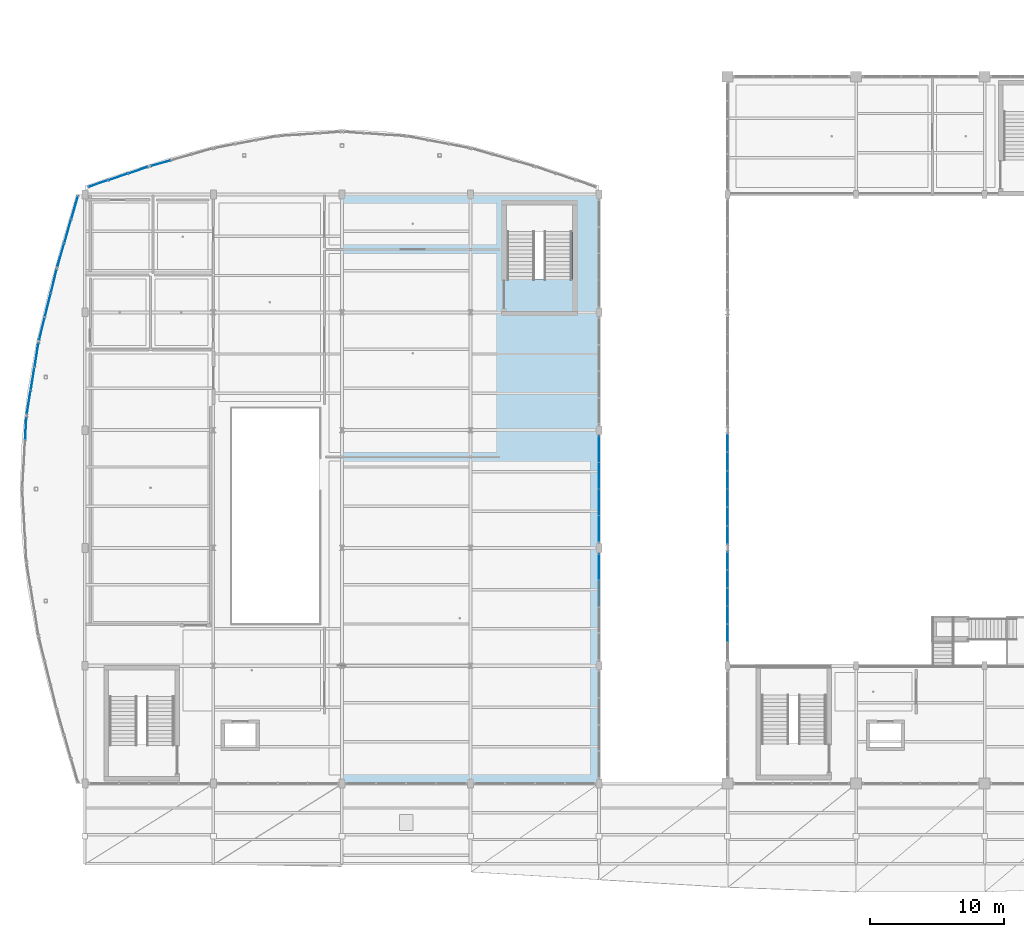
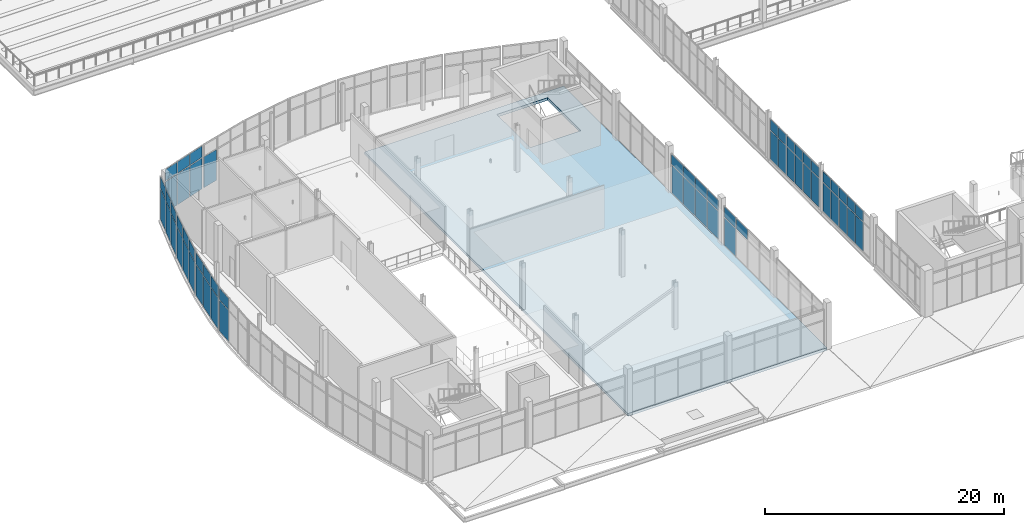
# One storey, part 116 of 157: 60 plates, 1 slab, 10 elements without a shape of their own.
"""IFC4 building model written with IfcOpenShell, lengths in metres."""

from ifc_helpers import new_model, si_unit, direction, frame, origin, origin_2d, place, context, subcontext, project, spatial, polyline, rectangle, outline, extrude, material, layer, layer_set, type_object, element, aggregate, save


model = new_model("IFC4")

# Units and contexts
model_context = context("Model", 3, precision=1e-05, world=origin(), true_north=direction((0.0, 1.0)))
body_context = subcontext(model_context, "Body", "Model", "MODEL_VIEW")
ifc_project = project(units=[si_unit("LENGTHUNIT", "METRE"), si_unit("AREAUNIT", "SQUARE_METRE"), si_unit("VOLUMEUNIT", "CUBIC_METRE"), si_unit("PLANEANGLEUNIT", "RADIAN"), si_unit("MASSUNIT", "GRAM", prefix="KILO")], contexts=[model_context])

# Site, building, storey
site_placement = place(None, origin())
site = spatial("IfcSite", under=ifc_project, at=site_placement, CompositionType="ELEMENT")
building_placement = place(site_placement, origin())
building = spatial("IfcBuilding", under=site, at=building_placement, Name="Chalmorin Arch Market", CompositionType="ELEMENT")
storey_placement = place(building_placement, frame((0.0, 0.0, 4.800048828125)))
storey = spatial("IfcBuildingStorey", under=building, at=storey_placement, Name="L01", CompositionType="ELEMENT", Elevation=4.800048828125)

# Curtain wall, plates
ifc_material_1 = material(Name="Aluminium 6063-T6", Category="aluminium")
ifc_layer_1 = layer(ifc_material_1, 0.159912109375)
ifc_layer_set_1 = layer_set([ifc_layer_1], Name="Aluminium 6063-T6")
curtain_wall_type_1 = type_object("IfcCurtainWallType", Name="GableTympanumCurtainWall-CW4-8100x4200", PredefinedType="NOTDEFINED", material=ifc_layer_set_1)
curtain_wall_1_placement = place(storey_placement, origin())
curtain_wall_1 = element("IfcCurtainWall", 1, at=curtain_wall_1_placement, inside=storey, type_object=curtain_wall_type_1, Name="CW-04-028", PredefinedType="NOTDEFINED")
ifc_material_2 = material(Name="Powder-coated Aluminium Panel", Category="aluminium")
ifc_layer_2 = layer(ifc_material_2, 0.0400390625)
ifc_layer_set_2 = layer_set([ifc_layer_2], Name="Powder-coated Aluminium Panel")
plate_type_1 = type_object("IfcPlateType", Name="ShadowboxSpandrelPanel-40", PredefinedType="CURTAIN_PANEL", material=ifc_layer_set_2)
plate_1_placement = place(storey_placement, frame((48.0, 17.235595703125, 3.06884765625), z_axis=(0.0, 0.0, 1.0), x_axis=(0.0, 1.0, 0.0)))
plate_1 = element("IfcPlate", 2, at=plate_1_placement, type_object=plate_type_1, Name="SP-40-028-02B", PredefinedType="CURTAIN_PANEL", context=body_context, shape_type="SweptSolid", body=[
    extrude(rectangle(XDim=1.270263671875, YDim=0.0400390625, at=origin_2d()), origin(), (0.0, 0.0, 1.0), 1.06103515625),
])
plate_2_placement = place(storey_placement, frame((48.0, 18.585693359375, 3.06884765625), z_axis=(0.0, 0.0, 1.0), x_axis=(0.0, 1.0, 0.0)))
plate_2 = element("IfcPlate", 3, at=plate_2_placement, type_object=plate_type_1, Name="SP-40-028-03B", PredefinedType="CURTAIN_PANEL", context=body_context, shape_type="SweptSolid", body=[
    extrude(rectangle(XDim=1.270263671875, YDim=0.0400390625, at=origin_2d()), origin(), (0.0, 0.0, 1.0), 1.06103515625),
])
plate_3_placement = place(storey_placement, frame((48.0, 19.936279296875, 3.06884765625), z_axis=(0.0, 0.0, 1.0), x_axis=(0.0, 1.0, 0.0)))
plate_3 = element("IfcPlate", 4, at=plate_3_placement, type_object=plate_type_1, Name="SP-40-028-04B", PredefinedType="CURTAIN_PANEL", context=body_context, shape_type="SweptSolid", body=[
    extrude(rectangle(XDim=1.270263671875, YDim=0.0400390625, at=origin_2d()), origin(), (0.0, 0.0, 1.0), 1.06103515625),
])
plate_4_placement = place(storey_placement, frame((48.0, 21.28662109375, 3.06884765625), z_axis=(0.0, 0.0, 1.0), x_axis=(0.0, 1.0, 0.0)))
plate_4 = element("IfcPlate", 5, at=plate_4_placement, type_object=plate_type_1, Name="SP-40-028-05B", PredefinedType="CURTAIN_PANEL", context=body_context, shape_type="SweptSolid", body=[
    extrude(rectangle(XDim=1.270263671875, YDim=0.0400390625, at=origin_2d()), origin(), (0.0, 0.0, 1.0), 1.06103515625),
])
plate_5_placement = place(storey_placement, frame((48.0, 22.63671875, 3.06884765625), z_axis=(0.0, 0.0, 1.0), x_axis=(0.0, 1.0, 0.0)))
plate_5 = element("IfcPlate", 6, at=plate_5_placement, type_object=plate_type_1, Name="SP-40-028-06B", PredefinedType="CURTAIN_PANEL", context=body_context, shape_type="SweptSolid", body=[
    extrude(rectangle(XDim=1.270263671875, YDim=0.0400390625, at=origin_2d()), origin(), (0.0, 0.0, 1.0), 1.06103515625),
])

ifc_layer_3 = layer(ifc_material_1, 0.159912109375)
ifc_layer_set_3 = layer_set([ifc_layer_3], Name="Aluminium 6063-T6")
curtain_wall_type_2 = type_object("IfcCurtainWallType", Name="GableTympanumCurtainWall-CW4-8220x4200", PredefinedType="NOTDEFINED", material=ifc_layer_set_3)
curtain_wall_2_placement = place(storey_placement, origin())
curtain_wall_2 = element("IfcCurtainWall", 7, at=curtain_wall_2_placement, inside=storey, type_object=curtain_wall_type_2, Name="CW-04-030", PredefinedType="NOTDEFINED")
plate_6_placement = place(storey_placement, frame((48.0, 24.5732421875, 3.06884765625), z_axis=(0.0, 0.0, 1.0), x_axis=(0.0, 1.0, 0.0)))
plate_6 = element("IfcPlate", 8, at=plate_6_placement, type_object=plate_type_1, Name="SP-40-030-01B", PredefinedType="CURTAIN_PANEL", context=body_context, shape_type="SweptSolid", body=[
    extrude(rectangle(XDim=1.290771484375, YDim=0.0400390625, at=origin_2d()), origin(), (0.0, 0.0, 1.0), 1.06103515625),
])
plate_7_placement = place(storey_placement, frame((48.0, 25.944091796875, 3.06884765625), z_axis=(0.0, 0.0, 1.0), x_axis=(0.0, 1.0, 0.0)))
plate_7 = element("IfcPlate", 9, at=plate_7_placement, type_object=plate_type_1, Name="SP-40-030-02B", PredefinedType="CURTAIN_PANEL", context=body_context, shape_type="SweptSolid", body=[
    extrude(rectangle(XDim=1.290771484375, YDim=0.0400390625, at=origin_2d()), origin(), (0.0, 0.0, 1.0), 1.06103515625),
])
plate_8_placement = place(storey_placement, frame((48.0, 27.314697265625, 3.06884765625), z_axis=(0.0, 0.0, 1.0), x_axis=(0.0, 1.0, 0.0)))
plate_8 = element("IfcPlate", 10, at=plate_8_placement, type_object=plate_type_1, Name="SP-40-030-03B", PredefinedType="CURTAIN_PANEL", context=body_context, shape_type="SweptSolid", body=[
    extrude(rectangle(XDim=1.290771484375, YDim=0.0400390625, at=origin_2d()), origin(), (0.0, 0.0, 1.0), 1.06103515625),
])
plate_9_placement = place(storey_placement, frame((48.0, 28.685302734375, 3.06884765625), z_axis=(0.0, 0.0, 1.0), x_axis=(0.0, 1.0, 0.0)))
plate_9 = element("IfcPlate", 11, at=plate_9_placement, type_object=plate_type_1, Name="SP-40-030-04B", PredefinedType="CURTAIN_PANEL", context=body_context, shape_type="SweptSolid", body=[
    extrude(rectangle(XDim=1.290771484375, YDim=0.0400390625, at=origin_2d()), origin(), (0.0, 0.0, 1.0), 1.06103515625),
])
plate_10_placement = place(storey_placement, frame((48.0, 30.055908203125, 3.06884765625), z_axis=(0.0, 0.0, 1.0), x_axis=(0.0, 1.0, 0.0)))
plate_10 = element("IfcPlate", 12, at=plate_10_placement, type_object=plate_type_1, Name="SP-40-030-05B", PredefinedType="CURTAIN_PANEL", context=body_context, shape_type="SweptSolid", body=[
    extrude(rectangle(XDim=1.290771484375, YDim=0.0400390625, at=origin_2d()), origin(), (0.0, 0.0, 1.0), 1.06103515625),
])
plate_11_placement = place(storey_placement, frame((48.0, 31.4267578125, 3.06884765625), z_axis=(0.0, 0.0, 1.0), x_axis=(0.0, 1.0, 0.0)))
plate_11 = element("IfcPlate", 13, at=plate_11_placement, type_object=plate_type_1, Name="SP-40-030-06B", PredefinedType="CURTAIN_PANEL", context=body_context, shape_type="SweptSolid", body=[
    extrude(rectangle(XDim=1.290771484375, YDim=0.0400390625, at=origin_2d()), origin(), (0.0, 0.0, 1.0), 1.06103515625),
])

# Curtain wall, plate
ifc_layer_4 = layer(ifc_material_1, 0.159912109375)
ifc_layer_set_4 = layer_set([ifc_layer_4], Name="Aluminium 6063-T6")
curtain_wall_type_3 = type_object("IfcCurtainWallType", Name="RiverfrontStorefrontCurtainWall-CW2-5330x4520", PredefinedType="NOTDEFINED", material=ifc_layer_set_4)
curtain_wall_3_placement = place(storey_placement, origin())
curtain_wall_3 = element("IfcCurtainWall", 14, at=curtain_wall_3_placement, inside=storey, type_object=curtain_wall_type_3, Name="CW-02-058", PredefinedType="NOTDEFINED")
plate_12_placement = place(storey_placement, frame((-4.416748046875, 32.5234375, 3.29931640625), z_axis=(0.0, 0.0, 1.0), x_axis=(0.052335956243, 0.998629534755, 0.0)))
plate_12 = element("IfcPlate", 15, at=plate_12_placement, type_object=plate_type_1, Name="SP-40-058-03B", PredefinedType="CURTAIN_PANEL", context=body_context, shape_type="SweptSolid", body=[
    extrude(rectangle(XDim=1.696533203125, YDim=0.0400390625, at=origin_2d()), origin(), (0.0, 0.0, 1.0), 1.150634765625),
])

# Curtain wall, plates
ifc_layer_5 = layer(ifc_material_1, 0.159912109375)
ifc_layer_set_5 = layer_set([ifc_layer_5], Name="Aluminium 6063-T6")
curtain_wall_type_4 = type_object("IfcCurtainWallType", Name="RiverfrontStorefrontCurtainWall-CW2-5390x4520", PredefinedType="NOTDEFINED", material=ifc_layer_set_5)
curtain_wall_4_placement = place(storey_placement, origin())
curtain_wall_4 = element("IfcCurtainWall", 16, at=curtain_wall_4_placement, inside=storey, type_object=curtain_wall_type_4, Name="CW-02-061", PredefinedType="NOTDEFINED")
plate_13_placement = place(storey_placement, frame((-4.198486328125, 34.475830078125, 3.29931640625), z_axis=(0.0, 0.0, 1.0), x_axis=(0.15643446504, 0.987688340595, 0.0)))
plate_13 = element("IfcPlate", 17, at=plate_13_placement, type_object=plate_type_1, Name="SP-40-061-01B", PredefinedType="CURTAIN_PANEL", context=body_context, shape_type="SweptSolid", body=[
    extrude(rectangle(XDim=1.71826171875, YDim=0.0400390625, at=origin_2d()), origin(), (0.0, 0.0, 1.0), 1.150634765625),
])
plate_14_placement = place(storey_placement, frame((-3.905029296875, 36.25, 3.29931640625), z_axis=(0.0, 0.0, 1.0), x_axis=(0.15643446504, 0.987688340595, 0.0)))
plate_14 = element("IfcPlate", 18, at=plate_14_placement, type_object=plate_type_1, Name="SP-40-061-02B", PredefinedType="CURTAIN_PANEL", context=body_context, shape_type="SweptSolid", body=[
    extrude(rectangle(XDim=1.71826171875, YDim=0.0400390625, at=origin_2d()), origin(), (0.0, 0.0, 1.0), 1.150634765625),
])
plate_15_placement = place(storey_placement, frame((-3.611572265625, 38.024169921875, 3.29931640625), z_axis=(0.0, 0.0, 1.0), x_axis=(0.15643446504, 0.987688340595, 0.0)))
plate_15 = element("IfcPlate", 19, at=plate_15_placement, type_object=plate_type_1, Name="SP-40-061-03B", PredefinedType="CURTAIN_PANEL", context=body_context, shape_type="SweptSolid", body=[
    extrude(rectangle(XDim=1.71826171875, YDim=0.0400390625, at=origin_2d()), origin(), (0.0, 0.0, 1.0), 1.150634765625),
])

ifc_layer_6 = layer(ifc_material_1, 0.159912109375)
ifc_layer_set_6 = layer_set([ifc_layer_6], Name="Aluminium 6063-T6")
curtain_wall_type_5 = type_object("IfcCurtainWallType", Name="RiverfrontStorefrontCurtainWall-CW2-5490x4520", PredefinedType="NOTDEFINED", material=ifc_layer_set_6)
curtain_wall_5_placement = place(storey_placement, origin())
curtain_wall_5 = element("IfcCurtainWall", 20, at=curtain_wall_5_placement, inside=storey, type_object=curtain_wall_type_5, Name="CW-02-064", PredefinedType="NOTDEFINED")
plate_16_placement = place(storey_placement, frame((-3.20849609375, 39.974853515625, 3.29931640625), z_axis=(0.0, 0.0, 1.0), x_axis=(0.2419218956, 0.970295726276, 0.0)))
plate_16 = element("IfcPlate", 21, at=plate_16_placement, type_object=plate_type_1, Name="SP-40-064-01B", PredefinedType="CURTAIN_PANEL", context=body_context, shape_type="SweptSolid", body=[
    extrude(rectangle(XDim=1.748779296875, YDim=0.0400390625, at=origin_2d()), origin(), (0.0, 0.0, 1.0), 1.150634765625),
])
plate_17_placement = place(storey_placement, frame((-2.7685546875, 41.75, 3.29931640625), z_axis=(0.0, 0.0, 1.0), x_axis=(0.2419218956, 0.970295726276, 0.0)))
plate_17 = element("IfcPlate", 22, at=plate_17_placement, type_object=plate_type_1, Name="SP-40-064-02B", PredefinedType="CURTAIN_PANEL", context=body_context, shape_type="SweptSolid", body=[
    extrude(rectangle(XDim=1.748779296875, YDim=0.0400390625, at=origin_2d()), origin(), (0.0, 0.0, 1.0), 1.150634765625),
])
plate_18_placement = place(storey_placement, frame((-2.32861328125, 43.525146484375, 3.29931640625), z_axis=(0.0, 0.0, 1.0), x_axis=(0.2419218956, 0.970295726276, 0.0)))
plate_18 = element("IfcPlate", 23, at=plate_18_placement, type_object=plate_type_1, Name="SP-40-064-03B", PredefinedType="CURTAIN_PANEL", context=body_context, shape_type="SweptSolid", body=[
    extrude(rectangle(XDim=1.748779296875, YDim=0.0400390625, at=origin_2d()), origin(), (0.0, 0.0, 1.0), 1.150634765625),
])

ifc_layer_7 = layer(ifc_material_1, 0.159912109375)
ifc_layer_set_7 = layer_set([ifc_layer_7], Name="Aluminium 6063-T6")
curtain_wall_type_6 = type_object("IfcCurtainWallType", Name="RiverfrontStorefrontCurtainWall-CW2-5550x4520", PredefinedType="NOTDEFINED", material=ifc_layer_set_7)
curtain_wall_6_placement = place(storey_placement, origin())
curtain_wall_6 = element("IfcCurtainWall", 24, at=curtain_wall_6_placement, inside=storey, type_object=curtain_wall_type_6, Name="CW-02-067", PredefinedType="NOTDEFINED")
plate_19_placement = place(storey_placement, frame((-1.802490234375, 45.474365234375, 3.29931640625), z_axis=(0.0, 0.0, 1.0), x_axis=(0.275637355817, 0.961261695938, 0.0)))
plate_19 = element("IfcPlate", 25, at=plate_19_placement, type_object=plate_type_1, Name="SP-40-067-01B", PredefinedType="CURTAIN_PANEL", context=body_context, shape_type="SweptSolid", body=[
    extrude(rectangle(XDim=1.77001953125, YDim=0.0400390625, at=origin_2d()), origin(), (0.0, 0.0, 1.0), 1.150634765625),
])
plate_20_placement = place(storey_placement, frame((-1.283447265625, 47.25, 3.29931640625), z_axis=(0.0, 0.0, 1.0), x_axis=(0.275637355817, 0.961261695938, 0.0)))
plate_20 = element("IfcPlate", 26, at=plate_20_placement, type_object=plate_type_1, Name="SP-40-067-02B", PredefinedType="CURTAIN_PANEL", context=body_context, shape_type="SweptSolid", body=[
    extrude(rectangle(XDim=1.77001953125, YDim=0.0400390625, at=origin_2d()), origin(), (0.0, 0.0, 1.0), 1.150634765625),
])
plate_21_placement = place(storey_placement, frame((-0.7646484375, 49.025634765625, 3.29931640625), z_axis=(0.0, 0.0, 1.0), x_axis=(0.275637355817, 0.961261695938, 0.0)))
plate_21 = element("IfcPlate", 27, at=plate_21_placement, type_object=plate_type_1, Name="SP-40-067-03B", PredefinedType="CURTAIN_PANEL", context=body_context, shape_type="SweptSolid", body=[
    extrude(rectangle(XDim=1.77001953125, YDim=0.0400390625, at=origin_2d()), origin(), (0.0, 0.0, 1.0), 1.150634765625),
])

ifc_layer_8 = layer(ifc_material_1, 0.159912109375)
ifc_layer_set_8 = layer_set([ifc_layer_8], Name="Aluminium 6063-T6")
curtain_wall_type_7 = type_object("IfcCurtainWallType", Name="RiverfrontStorefrontCurtainWall-CW2-4700x4520", PredefinedType="NOTDEFINED", material=ifc_layer_set_8)
curtain_wall_7_placement = place(storey_placement, origin())
curtain_wall_7 = element("IfcCurtainWall", 28, at=curtain_wall_7_placement, inside=storey, type_object=curtain_wall_type_7, Name="CW-02-070", PredefinedType="NOTDEFINED")
plate_22_placement = place(storey_placement, frame((1.00244140625, 50.815673828125, 3.29931640625), z_axis=(0.0, 0.0, 1.0), x_axis=(0.945518575599, 0.325568154457, 0.0)))
plate_22 = element("IfcPlate", 29, at=plate_22_placement, type_object=plate_type_1, Name="SP-40-070-01B", PredefinedType="CURTAIN_PANEL", context=body_context, shape_type="SweptSolid", body=[
    extrude(rectangle(XDim=1.48583984375, YDim=0.0400390625, at=origin_2d()), origin(), (0.0, 0.0, 1.0), 1.150634765625),
])
plate_23_placement = place(storey_placement, frame((2.4873046875, 51.312744140625, 3.29931640625), z_axis=(0.0, 0.0, 1.0), x_axis=(0.945518575599, 0.325568154457, 0.0)))
plate_23 = element("IfcPlate", 30, at=plate_23_placement, type_object=plate_type_1, Name="SP-40-070-02B", PredefinedType="CURTAIN_PANEL", context=body_context, shape_type="SweptSolid", body=[
    extrude(rectangle(XDim=1.48583984375, YDim=0.0400390625, at=origin_2d()), origin(), (0.0, 0.0, 1.0), 1.150634765625),
])
plate_24_placement = place(storey_placement, frame((3.97216796875, 51.809814453125, 3.29931640625), z_axis=(0.0, 0.0, 1.0), x_axis=(0.945518575599, 0.325568154457, 0.0)))
plate_24 = element("IfcPlate", 31, at=plate_24_placement, type_object=plate_type_1, Name="SP-40-070-03B", PredefinedType="CURTAIN_PANEL", context=body_context, shape_type="SweptSolid", body=[
    extrude(rectangle(XDim=1.48583984375, YDim=0.0400390625, at=origin_2d()), origin(), (0.0, 0.0, 1.0), 1.150634765625),
])

ifc_layer_9 = layer(ifc_material_1, 0.159912109375)
ifc_layer_set_9 = layer_set([ifc_layer_9], Name="Aluminium 6063-T6")
curtain_wall_type_8 = type_object("IfcCurtainWallType", Name="RiverfrontStorefrontCurtainWall-CW2-7930x4070", PredefinedType="NOTDEFINED", material=ifc_layer_set_9)
curtain_wall_8_placement = place(storey_placement, origin())
curtain_wall_8 = element("IfcCurtainWall", 32, at=curtain_wall_8_placement, inside=storey, type_object=curtain_wall_type_8, Name="CW-02-099", PredefinedType="NOTDEFINED")
plate_25_placement = place(storey_placement, frame((38.39990234375, 20.19140625, 2.972412109375), z_axis=(0.0, 0.0, 1.0), x_axis=(0.0, 1.0, 0.0)))
plate_25 = element("IfcPlate", 33, at=plate_25_placement, type_object=plate_type_1, Name="SP-40-099-03B", PredefinedType="CURTAIN_PANEL", context=body_context, shape_type="SweptSolid", body=[
    extrude(rectangle(XDim=1.902587890625, YDim=0.0400390625, at=origin_2d()), origin(), (0.0, 0.0, 1.0), 1.0234375),
])
plate_26_placement = place(storey_placement, frame((38.39990234375, 22.173583984375, 2.972412109375), z_axis=(0.0, 0.0, 1.0), x_axis=(0.0, 1.0, 0.0)))
plate_26 = element("IfcPlate", 34, at=plate_26_placement, type_object=plate_type_1, Name="SP-40-099-04B", PredefinedType="CURTAIN_PANEL", context=body_context, shape_type="SweptSolid", body=[
    extrude(rectangle(XDim=1.902587890625, YDim=0.0400390625, at=origin_2d()), origin(), (0.0, 0.0, 1.0), 1.0234375),
])

ifc_layer_10 = layer(ifc_material_1, 0.159912109375)
ifc_layer_set_10 = layer_set([ifc_layer_10], Name="Aluminium 6063-T6")
curtain_wall_type_9 = type_object("IfcCurtainWallType", Name="RiverfrontStorefrontCurtainWall-CW2-7930x4080", PredefinedType="NOTDEFINED", material=ifc_layer_set_10)
curtain_wall_9_placement = place(storey_placement, origin())
curtain_wall_9 = element("IfcCurtainWall", 35, at=curtain_wall_9_placement, inside=storey, type_object=curtain_wall_type_9, Name="CW-02-101", PredefinedType="NOTDEFINED")
plate_27_placement = place(storey_placement, frame((38.39990234375, 25.0263671875, 2.9794921875), z_axis=(0.0, 0.0, 1.0), x_axis=(0.0, 1.0, 0.0)))
plate_27 = element("IfcPlate", 36, at=plate_27_placement, type_object=plate_type_1, Name="SP-40-101-01B", PredefinedType="CURTAIN_PANEL", context=body_context, shape_type="SweptSolid", body=[
    extrude(rectangle(XDim=1.902587890625, YDim=0.0400390625, at=origin_2d()), origin(), (0.0, 0.0, 1.0), 1.0263671875),
])
plate_28_placement = place(storey_placement, frame((38.39990234375, 27.0087890625, 2.9794921875), z_axis=(0.0, 0.0, 1.0), x_axis=(0.0, 1.0, 0.0)))
plate_28 = element("IfcPlate", 37, at=plate_28_placement, type_object=plate_type_1, Name="SP-40-101-02B", PredefinedType="CURTAIN_PANEL", context=body_context, shape_type="SweptSolid", body=[
    extrude(rectangle(XDim=1.902587890625, YDim=0.0400390625, at=origin_2d()), origin(), (0.0, 0.0, 1.0), 1.0263671875),
])
plate_29_placement = place(storey_placement, frame((38.39990234375, 28.9912109375, 2.9794921875), z_axis=(0.0, 0.0, 1.0), x_axis=(0.0, 1.0, 0.0)))
plate_29 = element("IfcPlate", 38, at=plate_29_placement, type_object=plate_type_1, Name="SP-40-101-03B", PredefinedType="CURTAIN_PANEL", context=body_context, shape_type="SweptSolid", body=[
    extrude(rectangle(XDim=1.902587890625, YDim=0.0400390625, at=origin_2d()), origin(), (0.0, 0.0, 1.0), 1.0263671875),
])
plate_30_placement = place(storey_placement, frame((38.39990234375, 30.9736328125, 2.9794921875), z_axis=(0.0, 0.0, 1.0), x_axis=(0.0, 1.0, 0.0)))
plate_30 = element("IfcPlate", 39, at=plate_30_placement, type_object=plate_type_1, Name="SP-40-101-04B", PredefinedType="CURTAIN_PANEL", context=body_context, shape_type="SweptSolid", body=[
    extrude(rectangle(XDim=1.902587890625, YDim=0.0400390625, at=origin_2d()), origin(), (0.0, 0.0, 1.0), 1.0263671875),
])

# Slab
ifc_material_3 = material(Name="Concrete C40/50", Category="concrete")
ifc_layer_11 = layer(ifc_material_3, 0.280029296875)
ifc_layer_set_11 = layer_set([ifc_layer_11], Name="Concrete C40/50")
slab_type = type_object("IfcSlabType", Name="SuspendedFloorSlab-280", PredefinedType="FLOOR", material=ifc_layer_set_11)
slab_placement = place(storey_placement, frame((0.0, 0.0, -0.280029296875)))
element("IfcSlab", 40, at=slab_placement, inside=storey, type_object=slab_type, Name="FS-280-097", PredefinedType="FLOOR", context=body_context, shape_type="SweptSolid", body=[
    extrude(outline(polyline([(19.2099609375, 6.010009765625), (38.389892578125, 6.010009765625), (38.389892578125, 50.0), (19.2099609375, 50.0), (19.2099609375, 6.010009765625)]), holes=[polyline([(31.5, 43.64990234375), (36.39990234375, 43.64990234375), (36.39990234375, 49.199951171875), (31.5, 49.199951171875), (31.5, 43.64990234375)])]), origin(), (0.0, 0.0, 1.0), 0.280029296875),
])

# Plate
ifc_material_4 = material(Name="Low-E Tempered Glass", Category="glass")
ifc_layer_12 = layer(ifc_material_4, 0.028076171875)
ifc_layer_set_12 = layer_set([ifc_layer_12], Name="Low-E Tempered Glass")
plate_type_2 = type_object("IfcPlateType", Name="VisionIGUPanel-28", PredefinedType="CURTAIN_PANEL", material=ifc_layer_set_12)
plate_31_placement = place(storey_placement, frame((48.0, 17.235595703125, 0.06982421875), z_axis=(0.0, 0.0, 1.0), x_axis=(0.0, 1.0, 0.0)))
plate_31 = element("IfcPlate", 41, at=plate_31_placement, type_object=plate_type_2, Name="GL-28-028-02A", PredefinedType="CURTAIN_PANEL", context=body_context, shape_type="SweptSolid", body=[
    extrude(rectangle(XDim=1.270263671875, YDim=0.028076171875, at=origin_2d()), origin(), (0.0, 0.0, 1.0), 2.908935546875),
])

plate_32_placement = place(storey_placement, frame((48.0, 18.585693359375, 0.06982421875), z_axis=(0.0, 0.0, 1.0), x_axis=(0.0, 1.0, 0.0)))
plate_32 = element("IfcPlate", 42, at=plate_32_placement, type_object=plate_type_2, Name="GL-28-028-03A", PredefinedType="CURTAIN_PANEL", context=body_context, shape_type="SweptSolid", body=[
    extrude(rectangle(XDim=1.270263671875, YDim=0.028076171875, at=origin_2d()), origin(), (0.0, 0.0, 1.0), 2.908935546875),
])

plate_33_placement = place(storey_placement, frame((48.0, 19.936279296875, 0.06982421875), z_axis=(0.0, 0.0, 1.0), x_axis=(0.0, 1.0, 0.0)))
plate_33 = element("IfcPlate", 43, at=plate_33_placement, type_object=plate_type_2, Name="GL-28-028-04A", PredefinedType="CURTAIN_PANEL", context=body_context, shape_type="SweptSolid", body=[
    extrude(rectangle(XDim=1.270263671875, YDim=0.028076171875, at=origin_2d()), origin(), (0.0, 0.0, 1.0), 2.908935546875),
])

plate_34_placement = place(storey_placement, frame((48.0, 21.28662109375, 0.06982421875), z_axis=(0.0, 0.0, 1.0), x_axis=(0.0, 1.0, 0.0)))
plate_34 = element("IfcPlate", 44, at=plate_34_placement, type_object=plate_type_2, Name="GL-28-028-05A", PredefinedType="CURTAIN_PANEL", context=body_context, shape_type="SweptSolid", body=[
    extrude(rectangle(XDim=1.270263671875, YDim=0.028076171875, at=origin_2d()), origin(), (0.0, 0.0, 1.0), 2.908935546875),
])

plate_35_placement = place(storey_placement, frame((48.0, 22.63671875, 0.06982421875), z_axis=(0.0, 0.0, 1.0), x_axis=(0.0, 1.0, 0.0)))
plate_35 = element("IfcPlate", 45, at=plate_35_placement, type_object=plate_type_2, Name="GL-28-028-06A", PredefinedType="CURTAIN_PANEL", context=body_context, shape_type="SweptSolid", body=[
    extrude(rectangle(XDim=1.270263671875, YDim=0.028076171875, at=origin_2d()), origin(), (0.0, 0.0, 1.0), 2.908935546875),
])

aggregate(curtain_wall_1, [plate_31, plate_1, plate_32, plate_2, plate_33, plate_3, plate_34, plate_4, plate_35, plate_5])

plate_36_placement = place(storey_placement, frame((48.0, 24.5732421875, 0.06982421875), z_axis=(0.0, 0.0, 1.0), x_axis=(0.0, 1.0, 0.0)))
plate_36 = element("IfcPlate", 46, at=plate_36_placement, type_object=plate_type_2, Name="GL-28-030-01A", PredefinedType="CURTAIN_PANEL", context=body_context, shape_type="SweptSolid", body=[
    extrude(rectangle(XDim=1.290771484375, YDim=0.028076171875, at=origin_2d()), origin(), (0.0, 0.0, 1.0), 2.908935546875),
])

plate_37_placement = place(storey_placement, frame((48.0, 25.944091796875, 0.06982421875), z_axis=(0.0, 0.0, 1.0), x_axis=(0.0, 1.0, 0.0)))
plate_37 = element("IfcPlate", 47, at=plate_37_placement, type_object=plate_type_2, Name="GL-28-030-02A", PredefinedType="CURTAIN_PANEL", context=body_context, shape_type="SweptSolid", body=[
    extrude(rectangle(XDim=1.290771484375, YDim=0.028076171875, at=origin_2d()), origin(), (0.0, 0.0, 1.0), 2.908935546875),
])

plate_38_placement = place(storey_placement, frame((48.0, 27.314697265625, 0.06982421875), z_axis=(0.0, 0.0, 1.0), x_axis=(0.0, 1.0, 0.0)))
plate_38 = element("IfcPlate", 48, at=plate_38_placement, type_object=plate_type_2, Name="GL-28-030-03A", PredefinedType="CURTAIN_PANEL", context=body_context, shape_type="SweptSolid", body=[
    extrude(rectangle(XDim=1.290771484375, YDim=0.028076171875, at=origin_2d()), origin(), (0.0, 0.0, 1.0), 2.908935546875),
])

plate_39_placement = place(storey_placement, frame((48.0, 28.685302734375, 0.06982421875), z_axis=(0.0, 0.0, 1.0), x_axis=(0.0, 1.0, 0.0)))
plate_39 = element("IfcPlate", 49, at=plate_39_placement, type_object=plate_type_2, Name="GL-28-030-04A", PredefinedType="CURTAIN_PANEL", context=body_context, shape_type="SweptSolid", body=[
    extrude(rectangle(XDim=1.290771484375, YDim=0.028076171875, at=origin_2d()), origin(), (0.0, 0.0, 1.0), 2.908935546875),
])

plate_40_placement = place(storey_placement, frame((48.0, 30.055908203125, 0.06982421875), z_axis=(0.0, 0.0, 1.0), x_axis=(0.0, 1.0, 0.0)))
plate_40 = element("IfcPlate", 50, at=plate_40_placement, type_object=plate_type_2, Name="GL-28-030-05A", PredefinedType="CURTAIN_PANEL", context=body_context, shape_type="SweptSolid", body=[
    extrude(rectangle(XDim=1.290771484375, YDim=0.028076171875, at=origin_2d()), origin(), (0.0, 0.0, 1.0), 2.908935546875),
])

plate_41_placement = place(storey_placement, frame((48.0, 31.4267578125, 0.06982421875), z_axis=(0.0, 0.0, 1.0), x_axis=(0.0, 1.0, 0.0)))
plate_41 = element("IfcPlate", 51, at=plate_41_placement, type_object=plate_type_2, Name="GL-28-030-06A", PredefinedType="CURTAIN_PANEL", context=body_context, shape_type="SweptSolid", body=[
    extrude(rectangle(XDim=1.290771484375, YDim=0.028076171875, at=origin_2d()), origin(), (0.0, 0.0, 1.0), 2.908935546875),
])

aggregate(curtain_wall_2, [plate_36, plate_6, plate_37, plate_7, plate_38, plate_8, plate_39, plate_9, plate_40, plate_10, plate_41, plate_11])

plate_42_placement = place(storey_placement, frame((-4.416748046875, 32.5234375, 0.06982421875), z_axis=(0.0, 0.0, 1.0), x_axis=(0.052335956243, 0.998629534755, 0.0)))
plate_42 = element("IfcPlate", 52, at=plate_42_placement, type_object=plate_type_2, Name="GL-28-058-03A", PredefinedType="CURTAIN_PANEL", context=body_context, shape_type="SweptSolid", body=[
    extrude(rectangle(XDim=1.696533203125, YDim=0.028076171875, at=origin_2d()), origin(), (0.0, 0.0, 1.0), 3.139404296875),
])

aggregate(curtain_wall_3, [plate_42, plate_12])

plate_43_placement = place(storey_placement, frame((-4.198486328125, 34.475830078125, 0.06982421875), z_axis=(0.0, 0.0, 1.0), x_axis=(0.15643446504, 0.987688340595, 0.0)))
plate_43 = element("IfcPlate", 53, at=plate_43_placement, type_object=plate_type_2, Name="GL-28-061-01A", PredefinedType="CURTAIN_PANEL", context=body_context, shape_type="SweptSolid", body=[
    extrude(rectangle(XDim=1.71826171875, YDim=0.028076171875, at=origin_2d()), origin(), (0.0, 0.0, 1.0), 3.139404296875),
])

plate_44_placement = place(storey_placement, frame((-3.905029296875, 36.25, 0.06982421875), z_axis=(0.0, 0.0, 1.0), x_axis=(0.15643446504, 0.987688340595, 0.0)))
plate_44 = element("IfcPlate", 54, at=plate_44_placement, type_object=plate_type_2, Name="GL-28-061-02A", PredefinedType="CURTAIN_PANEL", context=body_context, shape_type="SweptSolid", body=[
    extrude(rectangle(XDim=1.71826171875, YDim=0.028076171875, at=origin_2d()), origin(), (0.0, 0.0, 1.0), 3.139404296875),
])

plate_45_placement = place(storey_placement, frame((-3.611572265625, 38.024169921875, 0.06982421875), z_axis=(0.0, 0.0, 1.0), x_axis=(0.15643446504, 0.987688340595, 0.0)))
plate_45 = element("IfcPlate", 55, at=plate_45_placement, type_object=plate_type_2, Name="GL-28-061-03A", PredefinedType="CURTAIN_PANEL", context=body_context, shape_type="SweptSolid", body=[
    extrude(rectangle(XDim=1.71826171875, YDim=0.028076171875, at=origin_2d()), origin(), (0.0, 0.0, 1.0), 3.139404296875),
])

aggregate(curtain_wall_4, [plate_43, plate_13, plate_44, plate_14, plate_45, plate_15])

plate_46_placement = place(storey_placement, frame((-3.20849609375, 39.974853515625, 0.06982421875), z_axis=(0.0, 0.0, 1.0), x_axis=(0.2419218956, 0.970295726276, 0.0)))
plate_46 = element("IfcPlate", 56, at=plate_46_placement, type_object=plate_type_2, Name="GL-28-064-01A", PredefinedType="CURTAIN_PANEL", context=body_context, shape_type="SweptSolid", body=[
    extrude(rectangle(XDim=1.748779296875, YDim=0.028076171875, at=origin_2d()), origin(), (0.0, 0.0, 1.0), 3.139404296875),
])

plate_47_placement = place(storey_placement, frame((-2.7685546875, 41.75, 0.06982421875), z_axis=(0.0, 0.0, 1.0), x_axis=(0.2419218956, 0.970295726276, 0.0)))
plate_47 = element("IfcPlate", 57, at=plate_47_placement, type_object=plate_type_2, Name="GL-28-064-02A", PredefinedType="CURTAIN_PANEL", context=body_context, shape_type="SweptSolid", body=[
    extrude(rectangle(XDim=1.748779296875, YDim=0.028076171875, at=origin_2d()), origin(), (0.0, 0.0, 1.0), 3.139404296875),
])

plate_48_placement = place(storey_placement, frame((-2.32861328125, 43.525146484375, 0.06982421875), z_axis=(0.0, 0.0, 1.0), x_axis=(0.2419218956, 0.970295726276, 0.0)))
plate_48 = element("IfcPlate", 58, at=plate_48_placement, type_object=plate_type_2, Name="GL-28-064-03A", PredefinedType="CURTAIN_PANEL", context=body_context, shape_type="SweptSolid", body=[
    extrude(rectangle(XDim=1.748779296875, YDim=0.028076171875, at=origin_2d()), origin(), (0.0, 0.0, 1.0), 3.139404296875),
])

aggregate(curtain_wall_5, [plate_46, plate_16, plate_47, plate_17, plate_48, plate_18])

plate_49_placement = place(storey_placement, frame((-1.802490234375, 45.474365234375, 0.06982421875), z_axis=(0.0, 0.0, 1.0), x_axis=(0.275637355817, 0.961261695938, 0.0)))
plate_49 = element("IfcPlate", 59, at=plate_49_placement, type_object=plate_type_2, Name="GL-28-067-01A", PredefinedType="CURTAIN_PANEL", context=body_context, shape_type="SweptSolid", body=[
    extrude(rectangle(XDim=1.77001953125, YDim=0.028076171875, at=origin_2d()), origin(), (0.0, 0.0, 1.0), 3.139404296875),
])

plate_50_placement = place(storey_placement, frame((-1.283447265625, 47.25, 0.06982421875), z_axis=(0.0, 0.0, 1.0), x_axis=(0.275637355817, 0.961261695938, 0.0)))
plate_50 = element("IfcPlate", 60, at=plate_50_placement, type_object=plate_type_2, Name="GL-28-067-02A", PredefinedType="CURTAIN_PANEL", context=body_context, shape_type="SweptSolid", body=[
    extrude(rectangle(XDim=1.77001953125, YDim=0.028076171875, at=origin_2d()), origin(), (0.0, 0.0, 1.0), 3.139404296875),
])

plate_51_placement = place(storey_placement, frame((-0.7646484375, 49.025634765625, 0.06982421875), z_axis=(0.0, 0.0, 1.0), x_axis=(0.275637355817, 0.961261695938, 0.0)))
plate_51 = element("IfcPlate", 61, at=plate_51_placement, type_object=plate_type_2, Name="GL-28-067-03A", PredefinedType="CURTAIN_PANEL", context=body_context, shape_type="SweptSolid", body=[
    extrude(rectangle(XDim=1.77001953125, YDim=0.028076171875, at=origin_2d()), origin(), (0.0, 0.0, 1.0), 3.139404296875),
])

aggregate(curtain_wall_6, [plate_49, plate_19, plate_50, plate_20, plate_51, plate_21])

plate_52_placement = place(storey_placement, frame((1.00244140625, 50.815673828125, 0.06982421875), z_axis=(0.0, 0.0, 1.0), x_axis=(0.945518575599, 0.325568154457, 0.0)))
plate_52 = element("IfcPlate", 62, at=plate_52_placement, type_object=plate_type_2, Name="GL-28-070-01A", PredefinedType="CURTAIN_PANEL", context=body_context, shape_type="SweptSolid", body=[
    extrude(rectangle(XDim=1.48583984375, YDim=0.028076171875, at=origin_2d()), origin(), (0.0, 0.0, 1.0), 3.139404296875),
])

plate_53_placement = place(storey_placement, frame((2.4873046875, 51.312744140625, 0.06982421875), z_axis=(0.0, 0.0, 1.0), x_axis=(0.945518575599, 0.325568154457, 0.0)))
plate_53 = element("IfcPlate", 63, at=plate_53_placement, type_object=plate_type_2, Name="GL-28-070-02A", PredefinedType="CURTAIN_PANEL", context=body_context, shape_type="SweptSolid", body=[
    extrude(rectangle(XDim=1.48583984375, YDim=0.028076171875, at=origin_2d()), origin(), (0.0, 0.0, 1.0), 3.139404296875),
])

plate_54_placement = place(storey_placement, frame((3.97216796875, 51.809814453125, 0.06982421875), z_axis=(0.0, 0.0, 1.0), x_axis=(0.945518575599, 0.325568154457, 0.0)))
plate_54 = element("IfcPlate", 64, at=plate_54_placement, type_object=plate_type_2, Name="GL-28-070-03A", PredefinedType="CURTAIN_PANEL", context=body_context, shape_type="SweptSolid", body=[
    extrude(rectangle(XDim=1.48583984375, YDim=0.028076171875, at=origin_2d()), origin(), (0.0, 0.0, 1.0), 3.139404296875),
])

aggregate(curtain_wall_7, [plate_52, plate_22, plate_53, plate_23, plate_54, plate_24])

# Curtain wall, plate
ifc_layer_13 = layer(ifc_material_1, 0.159912109375)
ifc_layer_set_13 = layer_set([ifc_layer_13], Name="Aluminium 6063-T6")
curtain_wall_type_10 = type_object("IfcCurtainWallType", Name="RiverfrontStorefrontCurtainWall-CW2-4810x4520", PredefinedType="NOTDEFINED", material=ifc_layer_set_13)
curtain_wall_10_placement = place(storey_placement, origin())
curtain_wall_10 = element("IfcCurtainWall", 65, at=curtain_wall_10_placement, inside=storey, type_object=curtain_wall_type_10, Name="CW-02-073", PredefinedType="NOTDEFINED")
plate_55_placement = place(storey_placement, frame((5.65771484375, 52.33056640625, 0.06982421875), z_axis=(0.0, 0.0, 1.0), x_axis=(0.961261695938, 0.275637355817, 0.0)))
plate_55 = element("IfcPlate", 66, at=plate_55_placement, type_object=plate_type_2, Name="GL-28-073-01A", PredefinedType="CURTAIN_PANEL", context=body_context, shape_type="SweptSolid", body=[
    extrude(rectangle(XDim=1.523193359375, YDim=0.028076171875, at=origin_2d()), origin(), (0.0, 0.0, 1.0), 3.139404296875),
])
aggregate(curtain_wall_10, [plate_55])

# Plate
plate_56_placement = place(storey_placement, frame((38.39990234375, 22.173583984375, 0.070068359375), z_axis=(0.0, 0.0, 1.0), x_axis=(0.0, 1.0, 0.0)))
plate_56 = element("IfcPlate", 67, at=plate_56_placement, type_object=plate_type_2, Name="GL-28-099-04A", PredefinedType="CURTAIN_PANEL", context=body_context, shape_type="SweptSolid", body=[
    extrude(rectangle(XDim=1.902587890625, YDim=0.028076171875, at=origin_2d()), origin(), (0.0, 0.0, 1.0), 2.8125),
])

aggregate(curtain_wall_8, [plate_25, plate_56, plate_26])

plate_57_placement = place(storey_placement, frame((38.39990234375, 25.0263671875, 0.06982421875), z_axis=(0.0, 0.0, 1.0), x_axis=(0.0, 1.0, 0.0)))
plate_57 = element("IfcPlate", 68, at=plate_57_placement, type_object=plate_type_2, Name="GL-28-101-01A", PredefinedType="CURTAIN_PANEL", context=body_context, shape_type="SweptSolid", body=[
    extrude(rectangle(XDim=1.902587890625, YDim=0.028076171875, at=origin_2d()), origin(), (0.0, 0.0, 1.0), 2.819580078125),
])

plate_58_placement = place(storey_placement, frame((38.39990234375, 27.0087890625, 0.06982421875), z_axis=(0.0, 0.0, 1.0), x_axis=(0.0, 1.0, 0.0)))
plate_58 = element("IfcPlate", 69, at=plate_58_placement, type_object=plate_type_2, Name="GL-28-101-02A", PredefinedType="CURTAIN_PANEL", context=body_context, shape_type="SweptSolid", body=[
    extrude(rectangle(XDim=1.902587890625, YDim=0.028076171875, at=origin_2d()), origin(), (0.0, 0.0, 1.0), 2.819580078125),
])

plate_59_placement = place(storey_placement, frame((38.39990234375, 28.9912109375, 0.06982421875), z_axis=(0.0, 0.0, 1.0), x_axis=(0.0, 1.0, 0.0)))
plate_59 = element("IfcPlate", 70, at=plate_59_placement, type_object=plate_type_2, Name="GL-28-101-03A", PredefinedType="CURTAIN_PANEL", context=body_context, shape_type="SweptSolid", body=[
    extrude(rectangle(XDim=1.902587890625, YDim=0.028076171875, at=origin_2d()), origin(), (0.0, 0.0, 1.0), 2.819580078125),
])

plate_60_placement = place(storey_placement, frame((38.39990234375, 30.9736328125, 0.06982421875), z_axis=(0.0, 0.0, 1.0), x_axis=(0.0, 1.0, 0.0)))
plate_60 = element("IfcPlate", 71, at=plate_60_placement, type_object=plate_type_2, Name="GL-28-101-04A", PredefinedType="CURTAIN_PANEL", context=body_context, shape_type="SweptSolid", body=[
    extrude(rectangle(XDim=1.902587890625, YDim=0.028076171875, at=origin_2d()), origin(), (0.0, 0.0, 1.0), 2.819580078125),
])

aggregate(curtain_wall_9, [plate_57, plate_27, plate_58, plate_28, plate_59, plate_29, plate_60, plate_30])

save(model, "model.ifc")
